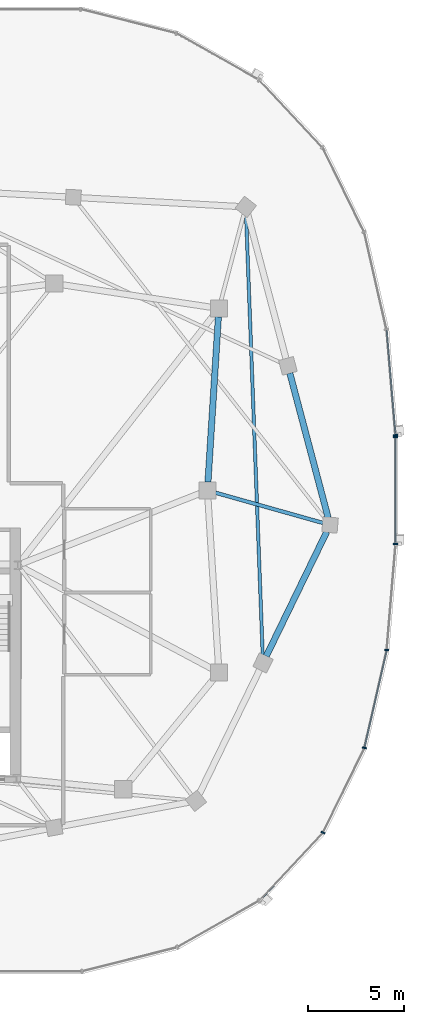
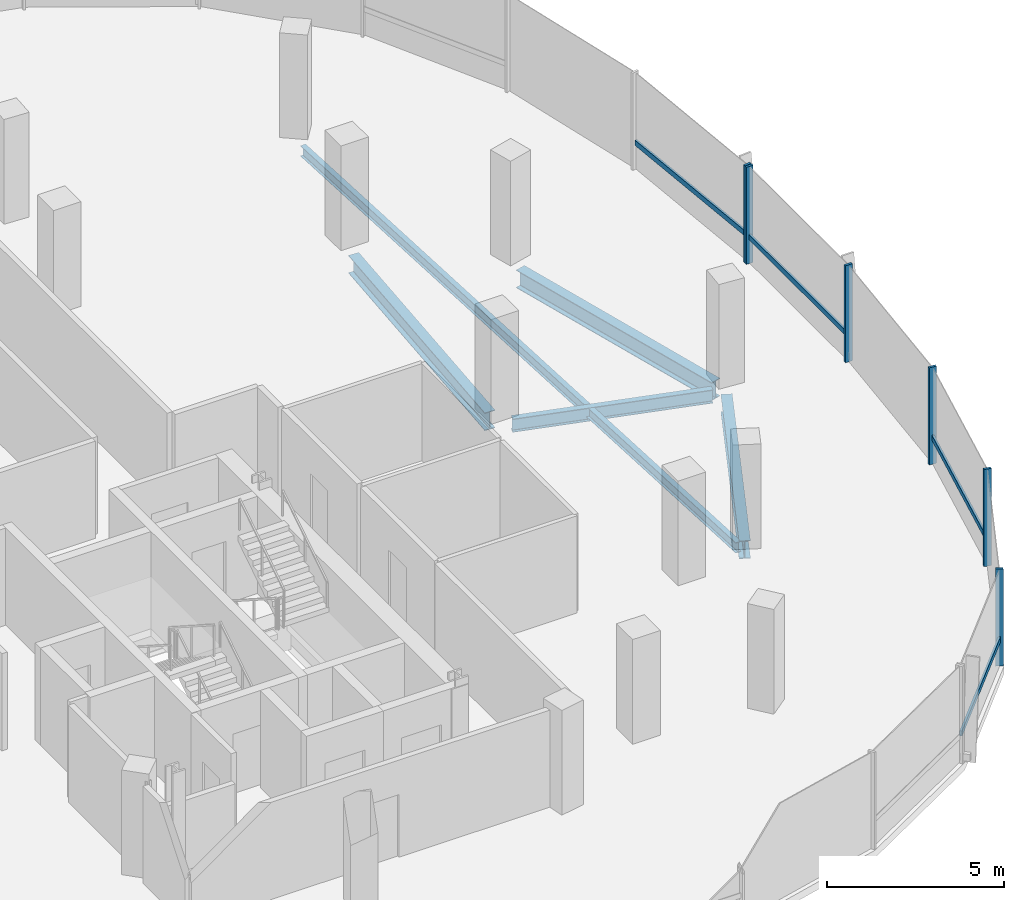
# One storey, part 9 of 24: 10 members, 5 beams, 2 elements without a shape of their own.
"""IFC4 building model written with IfcOpenShell, lengths in metres."""

from ifc_helpers import new_model, si_unit, direction, frame, origin, origin_2d, place, context, subcontext, project, spatial, rectangle, i_section, extrude, material, material_profile, profile_set, type_object, element, aggregate, save


model = new_model("IFC4")

# Units and contexts
model_context = context("Model", 3, precision=1e-05, world=origin(), true_north=direction((0.0, 1.0)))
body_context = subcontext(model_context, "Body", "Model", "MODEL_VIEW")
ifc_project = project(units=[si_unit("LENGTHUNIT", "METRE"), si_unit("AREAUNIT", "SQUARE_METRE"), si_unit("VOLUMEUNIT", "CUBIC_METRE"), si_unit("PLANEANGLEUNIT", "RADIAN"), si_unit("MASSUNIT", "GRAM", prefix="KILO"), si_unit("THERMODYNAMICTEMPERATUREUNIT", "KELVIN"), si_unit("POWERUNIT", "WATT")], contexts=[model_context])

# Site, building, storey
site_placement = place(None, origin())
site = spatial("IfcSite", under=ifc_project, at=site_placement, CompositionType="ELEMENT")
building_placement = place(site_placement, origin())
building = spatial("IfcBuilding", under=site, at=building_placement, Name="Cundina Bronze Exchange", CompositionType="ELEMENT")
storey_placement = place(building_placement, frame((0.0, 0.0, 268.39990234375)))
storey = spatial("IfcBuildingStorey", under=building, at=storey_placement, Name="L71", CompositionType="ELEMENT", Elevation=268.39990234375)

# Beams
ifc_material_1 = material(Name="Steel ASTM A992 Grade 50", Category="steel")
ifc_material_profile_1 = material_profile(ifc_material_1, i_section(OverallWidth=0.19091796875, OverallDepth=0.4599609375, WebThickness=0.010009765625, FlangeThickness=0.01611328125, FilletRadius=0.011962890625, at=origin_2d()), Name="W18X55", Category="steel")
ifc_profile_set_1 = profile_set([ifc_material_profile_1], Name="Steel ASTM A992 Grade 50")
beam_type_1 = type_object("IfcBeamType", Name="BM-FLR-W18B", PredefinedType="BEAM", material=ifc_profile_set_1)
beam_1_placement = place(storey_placement, frame((41.62158203125, -0.11865234375, -0.489990234375), z_axis=(0.962650257113, -0.270748005496, 0.0), x_axis=(0.270748005496, 0.962650257113, 0.0)))
element("IfcBeam", 1, at=beam_1_placement, inside=storey, type_object=beam_type_1, Name="L71 Leg E Chordal Floor Beam 08", PredefinedType="BEAM", context=body_context, shape_type="SweptSolid", body=[
    extrude(i_section(OverallWidth=0.19091796875, OverallDepth=0.4599609375, WebThickness=0.010009765625, FlangeThickness=0.01611328125, FilletRadius=0.011962890625, at=origin_2d()), origin(), (0.0, 0.0, 1.0), 5.822509765625),
])
ifc_material_profile_2 = material_profile(ifc_material_1, i_section(OverallWidth=0.172119140625, OverallDepth=0.35791015625, WebThickness=0.0078125, FlangeThickness=0.01318359375, FilletRadius=0.010009765625, at=origin_2d()), Name="W14X38", Category="steel")
ifc_profile_set_2 = profile_set([ifc_material_profile_2], Name="Steel ASTM A992 Grade 50")
beam_type_2 = type_object("IfcBeamType", Name="BM-JST-W14", PredefinedType="JOIST", material=ifc_profile_set_2)
beam_2_placement = place(storey_placement, frame((44.085205078125, -8.6123046875, -0.43896484375), z_axis=(-0.037784872152, 0.999285896746, 0.0), x_axis=(-0.999285896746, -0.037784872152, 0.0)))
element("IfcBeam", 2, at=beam_2_placement, inside=storey, type_object=beam_type_2, Name="L71 Leg E Lobe Floor Joist 07-10", PredefinedType="JOIST", context=body_context, shape_type="SweptSolid", body=[
    extrude(i_section(OverallWidth=0.172119140625, OverallDepth=0.35791015625, WebThickness=0.0078125, FlangeThickness=0.01318359375, FilletRadius=0.010009765625, at=origin_2d()), origin(), (0.0, 0.0, 1.0), 23.041015625),
])
ifc_material_profile_3 = material_profile(ifc_material_1, i_section(OverallWidth=0.324951171875, OverallDepth=0.615966796875, WebThickness=0.013916015625, FlangeThickness=0.021484375, FilletRadius=0.01611328125, at=origin_2d()), Name="W24X117", Category="steel")
ifc_profile_set_3 = profile_set([ifc_material_profile_3], Name="Steel ASTM A992 Grade 50")
beam_type_3 = type_object("IfcBeamType", Name="BM-RING-W24", PredefinedType="USERDEFINED", material=ifc_profile_set_3)
beam_3_placement = place(storey_placement, frame((41.2275390625, 0.43701171875, -0.56787109375), z_axis=(0.063046519736, 0.998010589297, 0.0), x_axis=(-0.998010589297, 0.063046519736, 0.0)))
element("IfcBeam", 3, at=beam_3_placement, inside=storey, type_object=beam_type_3, Name="L71 E Inner Structural Ring Girder 04", ObjectType="GIRDER", PredefinedType="USERDEFINED", context=body_context, shape_type="SweptSolid", body=[
    extrude(i_section(OverallWidth=0.324951171875, OverallDepth=0.615966796875, WebThickness=0.013916015625, FlangeThickness=0.021484375, FilletRadius=0.01611328125, at=origin_2d()), origin(), (0.0, 0.0, 1.0), 8.64306640625),
])
beam_4_placement = place(storey_placement, frame((44.26953125, -8.65087890625, -0.56787109375), z_axis=(0.437216986791, 0.899356050995, 0.0), x_axis=(-0.899356050995, 0.437216986791, 0.0)))
element("IfcBeam", 4, at=beam_4_placement, inside=storey, type_object=beam_type_3, Name="L71 E Perimeter Ring Girder 07", ObjectType="GIRDER", PredefinedType="USERDEFINED", context=body_context, shape_type="SweptSolid", body=[
    extrude(i_section(OverallWidth=0.324951171875, OverallDepth=0.615966796875, WebThickness=0.013916015625, FlangeThickness=0.021484375, FilletRadius=0.01611328125, at=origin_2d()), origin(), (0.0, 0.0, 1.0), 7.2294921875),
])
beam_5_placement = place(storey_placement, frame((47.50048828125, -1.425048828125, -0.56787109375), z_axis=(-0.256183793797, 0.966628089699, 0.0), x_axis=(-0.966628089699, -0.256183793797, 0.0)))
element("IfcBeam", 5, at=beam_5_placement, inside=storey, type_object=beam_type_3, Name="L71 E Perimeter Ring Girder 08", ObjectType="GIRDER", PredefinedType="USERDEFINED", context=body_context, shape_type="SweptSolid", body=[
    extrude(i_section(OverallWidth=0.324951171875, OverallDepth=0.615966796875, WebThickness=0.013916015625, FlangeThickness=0.021484375, FilletRadius=0.01611328125, at=origin_2d()), origin(), (0.0, 0.0, 1.0), 7.810791015625),
])

# Curtain wall, member
ifc_material_2 = material(Name="Anodised Bronze Aluminium 6063-T6", Category="aluminium")
curtain_wall_type = type_object("IfcCurtainWallType", Name="CWS-SKG-BRG", PredefinedType="NOTDEFINED", material=ifc_material_2)
curtain_wall_1_placement = place(storey_placement, origin())
curtain_wall_1 = element("IfcCurtainWall", 6, at=curtain_wall_1_placement, inside=storey, type_object=curtain_wall_type, Name="L71 CW-06 Curtain Wall Run CWR-L71-E1", PredefinedType="NOTDEFINED")
ifc_material_profile_4 = material_profile(ifc_material_2, rectangle(XDim=0.074951171875, YDim=0.219970703125, at=origin_2d()), Name="AL75X220", Category="aluminium")
ifc_profile_set_4 = profile_set([ifc_material_profile_4], Name="Anodised Bronze Aluminium 6063-T6")
member_type_1 = type_object("IfcMemberType", Name="CWM-MUL-220", PredefinedType="MULLION", material=ifc_profile_set_4)
member_1_placement = place(storey_placement, frame((51.01513671875, 2.885498046875, 0.0), z_axis=(0.0, 0.0, 1.0), x_axis=(-0.083677843332, 0.99649285925, 0.0)))
member_1 = element("IfcMember", 7, at=member_1_placement, type_object=member_type_1, Name="CW-06 Mullion 1", PredefinedType="MULLION", context=body_context, shape_type="SweptSolid", body=[
    extrude(rectangle(XDim=0.074951171875, YDim=0.219970703125, at=origin_2d()), origin(), (0.0, 0.0, 1.0), 3.340087890625),
])

# Curtain wall, members
curtain_wall_2_placement = place(storey_placement, origin())
curtain_wall_2 = element("IfcCurtainWall", 8, at=curtain_wall_2_placement, inside=storey, type_object=curtain_wall_type, Name="L71 CW-06 Curtain Wall Run CWR-L71-E4", PredefinedType="NOTDEFINED")
member_2_placement = place(storey_placement, frame((47.2333984375, -17.856689453125, 0.0), z_axis=(0.0, 0.0, 1.0), x_axis=(0.440566004113, 0.897720221461, 0.0)))
member_2 = element("IfcMember", 9, at=member_2_placement, type_object=member_type_1, Name="CW-06 Mullion 2", PredefinedType="MULLION", context=body_context, shape_type="SweptSolid", body=[
    extrude(rectangle(XDim=0.074951171875, YDim=0.219970703125, at=origin_2d()), origin(), (0.0, 0.0, 1.0), 3.340087890625),
])
member_3_placement = place(storey_placement, frame((49.39404296875, -13.433837890625, 0.0), z_axis=(0.0, 0.0, 1.0), x_axis=(0.223250116011, 0.974761194191, 0.0)))
member_3 = element("IfcMember", 10, at=member_3_placement, type_object=member_type_1, Name="CW-06 Mullion 3", PredefinedType="MULLION", context=body_context, shape_type="SweptSolid", body=[
    extrude(rectangle(XDim=0.074951171875, YDim=0.219970703125, at=origin_2d()), origin(), (0.0, 0.0, 1.0), 3.340087890625),
])
member_4_placement = place(storey_placement, frame((50.557861328125, -8.32568359375, 0.0), z_axis=(0.0, 0.0, 1.0), x_axis=(0.083677843332, 0.99649285925, 0.0)))
member_4 = element("IfcMember", 11, at=member_4_placement, type_object=member_type_1, Name="CW-06 Mullion 4", PredefinedType="MULLION", context=body_context, shape_type="SweptSolid", body=[
    extrude(rectangle(XDim=0.074951171875, YDim=0.219970703125, at=origin_2d()), origin(), (0.0, 0.0, 1.0), 3.340087890625),
])
member_5_placement = place(storey_placement, frame((51.01904296875, -2.79150390625, 0.0), z_axis=(0.0, 0.0, 1.0), x_axis=(0.0, 1.0, 0.0)))
member_5 = element("IfcMember", 12, at=member_5_placement, type_object=member_type_1, Name="CW-06 Mullion 5", PredefinedType="MULLION", context=body_context, shape_type="SweptSolid", body=[
    extrude(rectangle(XDim=0.074951171875, YDim=0.219970703125, at=origin_2d()), origin(), (0.0, 0.0, 1.0), 3.340087890625),
])
member_6_placement = place(storey_placement, frame((51.01904296875, 2.79150390625, 0.0), z_axis=(0.0, 0.0, 1.0), x_axis=(0.0, 1.0, 0.0)))
member_6 = element("IfcMember", 13, at=member_6_placement, type_object=member_type_1, Name="CW-06 End Mullion", PredefinedType="MULLION", context=body_context, shape_type="SweptSolid", body=[
    extrude(rectangle(XDim=0.074951171875, YDim=0.219970703125, at=origin_2d()), origin(), (0.0, 0.0, 1.0), 3.340087890625),
])

# Member
ifc_material_profile_5 = material_profile(ifc_material_2, rectangle(XDim=0.070068359375, YDim=0.179931640625, at=origin_2d()), Name="AL70X180", Category="aluminium")
ifc_profile_set_5 = profile_set([ifc_material_profile_5], Name="Anodised Bronze Aluminium 6063-T6")
member_type_2 = type_object("IfcMemberType", Name="CWM-TRN-180", PredefinedType="USERDEFINED", material=ifc_profile_set_5)
member_7_placement = place(storey_placement, frame((51.01171875, 2.926513671875, 0.920166015625), z_axis=(-0.083756005485, 0.996486292703, 0.0), x_axis=(-0.996486292703, -0.083756005485, 0.0)))
member_7 = element("IfcMember", 14, at=member_7_placement, type_object=member_type_2, Name="CW-06 Spandrel Transom 1", ObjectType="TRANSOM", PredefinedType="USERDEFINED", context=body_context, shape_type="SweptSolid", body=[
    extrude(rectangle(XDim=0.070068359375, YDim=0.179931640625, at=origin_2d()), origin(), (0.0, 0.0, 1.0), 5.459716796875),
])

aggregate(curtain_wall_1, [member_1, member_7])

member_8_placement = place(storey_placement, frame((43.968505859375, -21.349609375, 0.920166015625), z_axis=(0.684328474899, 0.729173873944, 0.0), x_axis=(-0.729173873944, 0.684328474899, 0.0)))
member_8 = element("IfcMember", 15, at=member_8_placement, type_object=member_type_2, Name="CW-06 Spandrel Transom 1", ObjectType="TRANSOM", PredefinedType="USERDEFINED", context=body_context, shape_type="SweptSolid", body=[
    extrude(rectangle(XDim=0.070068359375, YDim=0.179931640625, at=origin_2d()), origin(), (0.0, 0.0, 1.0), 4.758056640625),
])

member_9_placement = place(storey_placement, frame((49.4033203125, -13.3935546875, 0.920166015625), z_axis=(0.223257048806, 0.974759606343, 0.0), x_axis=(-0.974759606343, 0.223257048806, 0.0)))
member_9 = element("IfcMember", 16, at=member_9_placement, type_object=member_type_2, Name="CW-06 Spandrel Transom 3", ObjectType="TRANSOM", PredefinedType="USERDEFINED", context=body_context, shape_type="SweptSolid", body=[
    extrude(rectangle(XDim=0.070068359375, YDim=0.179931640625, at=origin_2d()), origin(), (0.0, 0.0, 1.0), 5.15283203125),
])

member_10_placement = place(storey_placement, frame((51.01904296875, -2.750244140625, 0.920166015625), z_axis=(0.0, 1.0, 0.0), x_axis=(-1.0, 0.0, 0.0)))
member_10 = element("IfcMember", 17, at=member_10_placement, type_object=member_type_2, Name="CW-06 Spandrel Transom 5", ObjectType="TRANSOM", PredefinedType="USERDEFINED", context=body_context, shape_type="SweptSolid", body=[
    extrude(rectangle(XDim=0.070068359375, YDim=0.179931640625, at=origin_2d()), origin(), (0.0, 0.0, 1.0), 5.50048828125),
])

aggregate(curtain_wall_2, [member_8, member_2, member_3, member_9, member_4, member_5, member_6, member_10])

save(model, "model.ifc")
